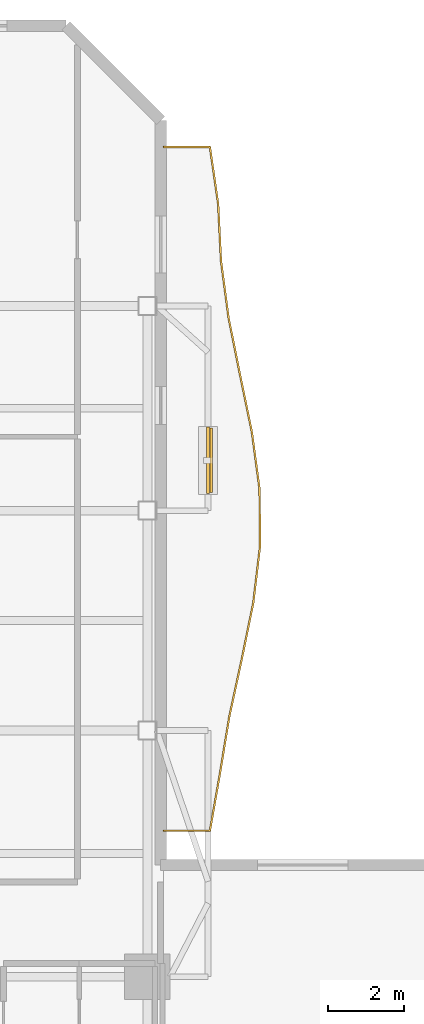
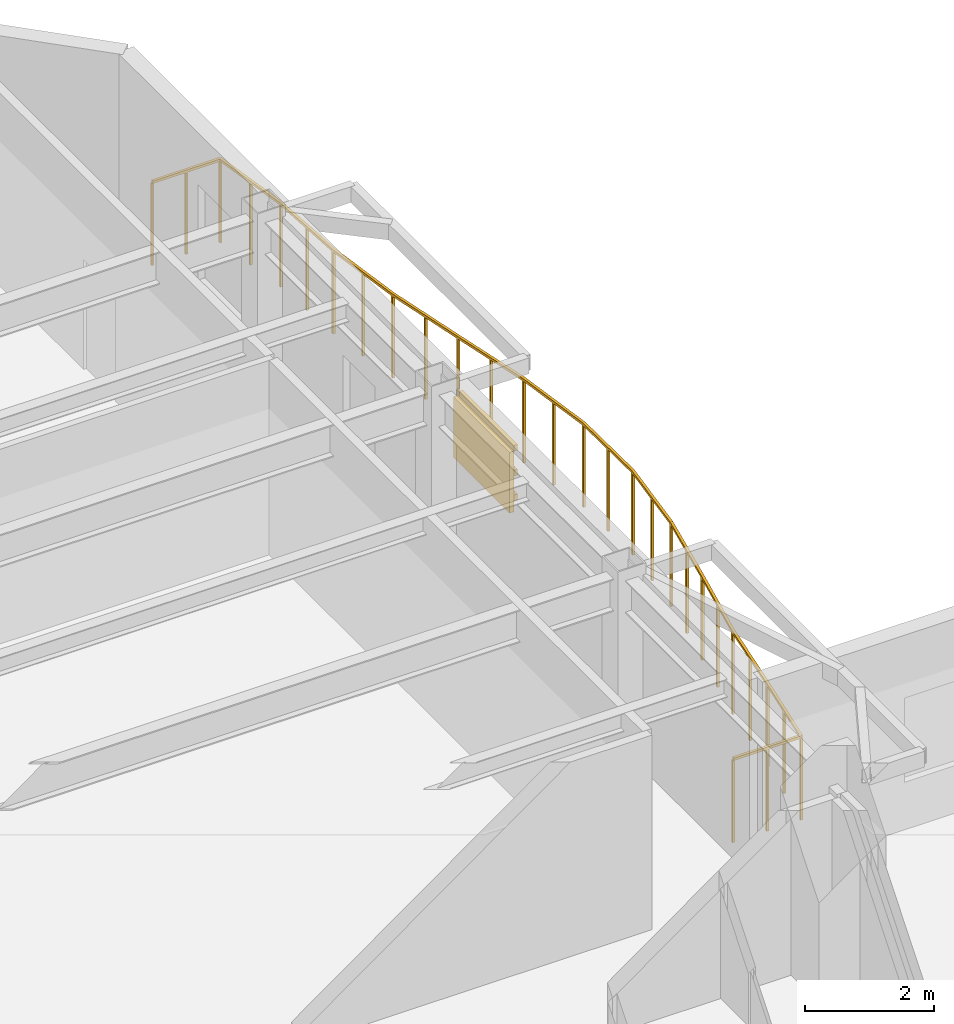
# One storey, part 9 of 9: 4 shading devices, 1 railing.
"""IFC4 building model written with IfcOpenShell, lengths in metres."""

from ifc_helpers import new_model, si_unit, direction, frame, origin, origin_2d, place, context, subcontext, project, spatial, rectangle, extrude, material, layer, layer_set, material_profile, profile_set, type_object, element, save


model = new_model("IFC4")

# Units and contexts
model_context = context("Model", 3, precision=1e-05, world=origin(), true_north=direction((0.0, 1.0)))
body_context = subcontext(model_context, "Body", "Model", "MODEL_VIEW")
ifc_project = project(units=[si_unit("LENGTHUNIT", "METRE"), si_unit("AREAUNIT", "SQUARE_METRE"), si_unit("VOLUMEUNIT", "CUBIC_METRE"), si_unit("PLANEANGLEUNIT", "RADIAN"), si_unit("MASSUNIT", "GRAM", prefix="KILO")], contexts=[model_context])

# Site, building, storey
site_placement = place(None, origin())
site = spatial("IfcSite", under=ifc_project, at=site_placement, CompositionType="ELEMENT")
building_placement = place(site_placement, origin())
building = spatial("IfcBuilding", under=site, at=building_placement, Name="Mawjaban Terraces University", CompositionType="ELEMENT")
storey_placement = place(building_placement, frame((0.0, 0.0, 138.5)))
storey = spatial("IfcBuildingStorey", under=building, at=storey_placement, Name="L33", CompositionType="ELEMENT", Elevation=138.5)

# Railing
ifc_material_1 = material(Name="Galvanised powder-coated steel S355", Category="steel")
railing_type = type_object("IfcRailingType", Name="BalconyBalustrade_1600", PredefinedType="BALUSTRADE", material=ifc_material_1)
railing_placement = place(storey_placement, frame((38.080078125, 27.35009765625, 0.0)))
element("IfcRailing", 1, at=railing_placement, inside=storey, type_object=railing_type, Name="L33 Balcony Guardrail inner_east", PredefinedType="BALUSTRADE", context=body_context, shape_type="SweptSolid", body=[
    extrude(rectangle(XDim=0.048095703125, YDim=0.048095703125, at=origin_2d()), frame((0.0, 0.0, 1.576171875), z_axis=(1.0, 0.0, 0.0), x_axis=(0.0, 1.0, 0.0)), (0.0, 0.0, 1.0), 1.219970703125),
    extrude(rectangle(XDim=0.048095703125, YDim=0.048095703125, at=origin_2d()), frame((1.219970703125, 0.0, 1.576171875), z_axis=(0.172845741651, 0.984948907098, 0.0), x_axis=(-0.984948907098, 0.172845741651, 0.0)), (0.0, 0.0, 1.0), 1.52685546875),
    extrude(rectangle(XDim=0.048095703125, YDim=0.048095703125, at=origin_2d()), frame((1.48388671875, 1.50390625, 1.576171875), z_axis=(0.162112586908, 0.986772268138, 0.0), x_axis=(-0.986772268138, 0.162112586908, 0.0)), (0.0, 0.0, 1.0), 1.524169921875),
    extrude(rectangle(XDim=0.048095703125, YDim=0.048095703125, at=origin_2d()), frame((1.73095703125, 3.0078125, 1.576171875), z_axis=(0.211639778183, 0.977347739697, 0.0), x_axis=(-0.977347739697, 0.211639778183, 0.0)), (0.0, 0.0, 1.0), 1.5400390625),
    extrude(rectangle(XDim=0.048095703125, YDim=0.048095703125, at=origin_2d()), frame((2.056884765625, 4.512939453125, 1.576171875), z_axis=(0.200701522171, 0.979652437856, 0.0), x_axis=(-0.979652437856, 0.200701522171, 0.0)), (0.0, 0.0, 1.0), 1.53515625),
    extrude(rectangle(XDim=0.048095703125, YDim=0.048095703125, at=origin_2d()), frame((2.364990234375, 6.016845703125, 1.576171875), z_axis=(0.118776623526, 0.992921000737, 0.0), x_axis=(-0.992921000737, 0.118776623526, 0.0)), (0.0, 0.0, 1.0), 1.514892578125),
    extrude(rectangle(XDim=0.048095703125, YDim=0.048095703125, at=origin_2d()), frame((2.544921875, 7.52099609375, 1.576171875), z_axis=(-0.009902111907, 0.999950972888, 0.0), x_axis=(-0.999950972888, -0.009902111907, 0.0)), (0.0, 0.0, 1.0), 1.50390625),
    extrude(rectangle(XDim=0.048095703125, YDim=0.048095703125, at=origin_2d()), frame((2.530029296875, 9.02490234375, 1.576171875), z_axis=(-0.133849574937, 0.991001660589, 0.0), x_axis=(-0.991001660589, -0.133849574937, 0.0)), (0.0, 0.0, 1.0), 1.517578125),
    extrude(rectangle(XDim=0.048095703125, YDim=0.048095703125, at=origin_2d()), frame((2.326904296875, 10.52880859375, 1.576171875), z_axis=(-0.202500482945, 0.979282162815, 0.0), x_axis=(-0.979282162815, -0.202500482945, 0.0)), (0.0, 0.0, 1.0), 1.535888671875),
    extrude(rectangle(XDim=0.048095703125, YDim=0.048095703125, at=origin_2d()), frame((2.015869140625, 12.032958984375, 1.576171875), z_axis=(-0.197369952347, 0.980329078377, 0.0), x_axis=(-0.980329078377, -0.197369952347, 0.0)), (0.0, 0.0, 1.0), 1.53515625),
    extrude(rectangle(XDim=0.048095703125, YDim=0.048095703125, at=origin_2d()), frame((1.712890625, 13.537841796875, 1.576171875), z_axis=(-0.131773765583, 0.991279816552, 0.0), x_axis=(-0.991279816552, -0.131773765583, 0.0)), (0.0, 0.0, 1.0), 1.517333984375),
    extrude(rectangle(XDim=0.048095703125, YDim=0.048095703125, at=origin_2d()), frame((1.512939453125, 15.0419921875, 1.576171875), z_axis=(-0.049775884189, 0.998760412388, 0.0), x_axis=(-0.998760412388, -0.049775884189, 0.0)), (0.0, 0.0, 1.0), 1.505859375),
    extrude(rectangle(XDim=0.048095703125, YDim=0.048095703125, at=origin_2d()), frame((1.43798828125, 16.5458984375, 1.576171875), z_axis=(-0.143467840396, 0.989654979663, 0.0), x_axis=(-0.989654979663, -0.143467840396, 0.0)), (0.0, 0.0, 1.0), 1.51953125),
    extrude(rectangle(XDim=0.048095703125, YDim=0.048095703125, at=origin_2d()), frame((1.219970703125, 18.0498046875, 1.576171875), z_axis=(-1.0, 0.0, 0.0), x_axis=(0.0, -1.0, 0.0)), (0.0, 0.0, 1.0), 1.219970703125),
    extrude(rectangle(XDim=0.0419921875, YDim=0.0419921875, at=origin_2d()), origin(), (0.0, 0.0, 1.0), 1.552001953125),
    extrude(rectangle(XDim=0.0419921875, YDim=0.0419921875, at=origin_2d()), frame((0.60986328125, 0.0, 0.0)), (0.0, 0.0, 1.0), 1.552001953125),
    extrude(rectangle(XDim=0.0419921875, YDim=0.0419921875, at=origin_2d()), frame((1.219970703125, 0.0, 0.0)), (0.0, 0.0, 1.0), 1.552001953125),
    extrude(rectangle(XDim=0.0419921875, YDim=0.0419921875, at=origin_2d()), frame((1.35205078125, 0.751953125, 0.0)), (0.0, 0.0, 1.0), 1.552001953125),
    extrude(rectangle(XDim=0.0419921875, YDim=0.0419921875, at=origin_2d()), frame((1.48388671875, 1.50390625, 0.0)), (0.0, 0.0, 1.0), 1.552001953125),
    extrude(rectangle(XDim=0.0419921875, YDim=0.0419921875, at=origin_2d()), frame((1.607421875, 2.255859375, 0.0)), (0.0, 0.0, 1.0), 1.552001953125),
    extrude(rectangle(XDim=0.0419921875, YDim=0.0419921875, at=origin_2d()), frame((1.73095703125, 3.0078125, 0.0)), (0.0, 0.0, 1.0), 1.552001953125),
    extrude(rectangle(XDim=0.0419921875, YDim=0.0419921875, at=origin_2d()), frame((1.89404296875, 3.76025390625, 0.0)), (0.0, 0.0, 1.0), 1.552001953125),
    extrude(rectangle(XDim=0.0419921875, YDim=0.0419921875, at=origin_2d()), frame((2.056884765625, 4.512939453125, 0.0)), (0.0, 0.0, 1.0), 1.552001953125),
    extrude(rectangle(XDim=0.0419921875, YDim=0.0419921875, at=origin_2d()), frame((2.2109375, 5.264892578125, 0.0)), (0.0, 0.0, 1.0), 1.552001953125),
    extrude(rectangle(XDim=0.0419921875, YDim=0.0419921875, at=origin_2d()), frame((2.364990234375, 6.016845703125, 0.0)), (0.0, 0.0, 1.0), 1.552001953125),
    extrude(rectangle(XDim=0.0419921875, YDim=0.0419921875, at=origin_2d()), frame((2.455078125, 6.76904296875, 0.0)), (0.0, 0.0, 1.0), 1.552001953125),
    extrude(rectangle(XDim=0.0419921875, YDim=0.0419921875, at=origin_2d()), frame((2.544921875, 7.52099609375, 0.0)), (0.0, 0.0, 1.0), 1.552001953125),
    extrude(rectangle(XDim=0.0419921875, YDim=0.0419921875, at=origin_2d()), frame((2.53759765625, 8.27294921875, 0.0)), (0.0, 0.0, 1.0), 1.552001953125),
    extrude(rectangle(XDim=0.0419921875, YDim=0.0419921875, at=origin_2d()), frame((2.530029296875, 9.02490234375, 0.0)), (0.0, 0.0, 1.0), 1.552001953125),
    extrude(rectangle(XDim=0.0419921875, YDim=0.0419921875, at=origin_2d()), frame((2.428466796875, 9.77685546875, 0.0)), (0.0, 0.0, 1.0), 1.552001953125),
    extrude(rectangle(XDim=0.0419921875, YDim=0.0419921875, at=origin_2d()), frame((2.326904296875, 10.52880859375, 0.0)), (0.0, 0.0, 1.0), 1.552001953125),
    extrude(rectangle(XDim=0.0419921875, YDim=0.0419921875, at=origin_2d()), frame((2.17138671875, 11.28076171875, 0.0)), (0.0, 0.0, 1.0), 1.552001953125),
    extrude(rectangle(XDim=0.0419921875, YDim=0.0419921875, at=origin_2d()), frame((2.015869140625, 12.032958984375, 0.0)), (0.0, 0.0, 1.0), 1.552001953125),
    extrude(rectangle(XDim=0.0419921875, YDim=0.0419921875, at=origin_2d()), frame((1.8642578125, 12.785400390625, 0.0)), (0.0, 0.0, 1.0), 1.552001953125),
    extrude(rectangle(XDim=0.0419921875, YDim=0.0419921875, at=origin_2d()), frame((1.712890625, 13.537841796875, 0.0)), (0.0, 0.0, 1.0), 1.552001953125),
    extrude(rectangle(XDim=0.0419921875, YDim=0.0419921875, at=origin_2d()), frame((1.61279296875, 14.2900390625, 0.0)), (0.0, 0.0, 1.0), 1.552001953125),
    extrude(rectangle(XDim=0.0419921875, YDim=0.0419921875, at=origin_2d()), frame((1.512939453125, 15.0419921875, 0.0)), (0.0, 0.0, 1.0), 1.552001953125),
    extrude(rectangle(XDim=0.0419921875, YDim=0.0419921875, at=origin_2d()), frame((1.4755859375, 15.7939453125, 0.0)), (0.0, 0.0, 1.0), 1.552001953125),
    extrude(rectangle(XDim=0.0419921875, YDim=0.0419921875, at=origin_2d()), frame((1.43798828125, 16.5458984375, 0.0)), (0.0, 0.0, 1.0), 1.552001953125),
    extrude(rectangle(XDim=0.0419921875, YDim=0.0419921875, at=origin_2d()), frame((1.3291015625, 17.2978515625, 0.0)), (0.0, 0.0, 1.0), 1.552001953125),
    extrude(rectangle(XDim=0.0419921875, YDim=0.0419921875, at=origin_2d()), frame((1.219970703125, 18.0498046875, 0.0)), (0.0, 0.0, 1.0), 1.552001953125),
    extrude(rectangle(XDim=0.0419921875, YDim=0.0419921875, at=origin_2d()), frame((0.60986328125, 18.0498046875, 0.0)), (0.0, 0.0, 1.0), 1.552001953125),
    extrude(rectangle(XDim=0.0419921875, YDim=0.0419921875, at=origin_2d()), frame((0.0, 18.0498046875, 0.0)), (0.0, 0.0, 1.0), 1.552001953125),
])

# Shading devices
ifc_material_2 = material(Name="Glazed architectural terracotta ceramic", Category="masonry")
ifc_material_profile = material_profile(ifc_material_2, rectangle(XDim=0.06494140625, YDim=0.110107421875, at=origin_2d()), Name="TBAG110X65")
ifc_profile_set = profile_set([ifc_material_profile], Name="Glazed architectural terracotta ceramic")
shading_device_type_1 = type_object("IfcShadingDeviceType", Name="TerracottaBaguette_110x65", PredefinedType="USERDEFINED", material=ifc_profile_set)
for number, where, z_axis, x_axis, name in (
    (2, (39.333984375, 36.277099609375, 0.679931640625), (0.0, 1.0, 0.0), (-1.0, 0.0, 0.0), "L33 Horizontal Terracotta Baguette inner_east.1"),
    (3, (39.333984375, 36.277099609375, 1.14990234375), (0.0, 1.0, 0.0), (-1.0, 0.0, 0.0), "L33 Horizontal Terracotta Baguette inner_east.2"),
    (4, (39.333984375, 36.277099609375, 1.6201171875), (0.0, 1.0, 0.0), (-1.0, 0.0, 0.0), "L33 Horizontal Terracotta Baguette inner_east.3"),
):
    element("IfcShadingDevice", number, at=place(storey_placement, frame(where, z_axis=z_axis, x_axis=x_axis)), inside=storey, type_object=shading_device_type_1, Name=name, ObjectType="BAGUETTE", PredefinedType="USERDEFINED", context=body_context, shape_type="SweptSolid", body=[
        extrude(rectangle(XDim=0.06494140625, YDim=0.110107421875, at=origin_2d()), origin(), (0.0, 0.0, 1.0), 1.699951171875),
    ])
ifc_layer = layer(ifc_material_2, 0.080078125)
ifc_layer_set = layer_set([ifc_layer], Name="Glazed architectural terracotta ceramic")
shading_device_type_2 = type_object("IfcShadingDeviceType", Name="TerracottaScreen_Perforated", PredefinedType="USERDEFINED", material=ifc_layer_set)
shading_device_placement = place(storey_placement, frame((39.2490234375, 37.126953125, 0.43994140625), z_axis=(0.0, 0.0, 1.0), x_axis=(0.0, 1.0, 0.0)))
element("IfcShadingDevice", 5, at=shading_device_placement, inside=storey, type_object=shading_device_type_2, Name="L33 Balcony Perforated Terracotta Screen inner_east", ObjectType="SCREEN", PredefinedType="USERDEFINED", context=body_context, shape_type="SweptSolid", body=[
    extrude(rectangle(XDim=1.75, YDim=0.080078125, at=origin_2d()), origin(), (0.0, 0.0, 1.0), 1.14990234375),
])

save(model, "model.ifc")
